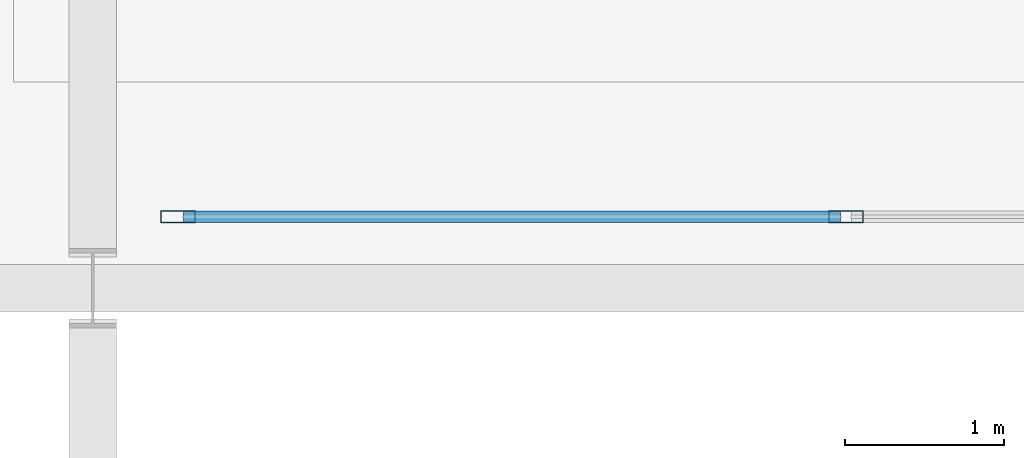
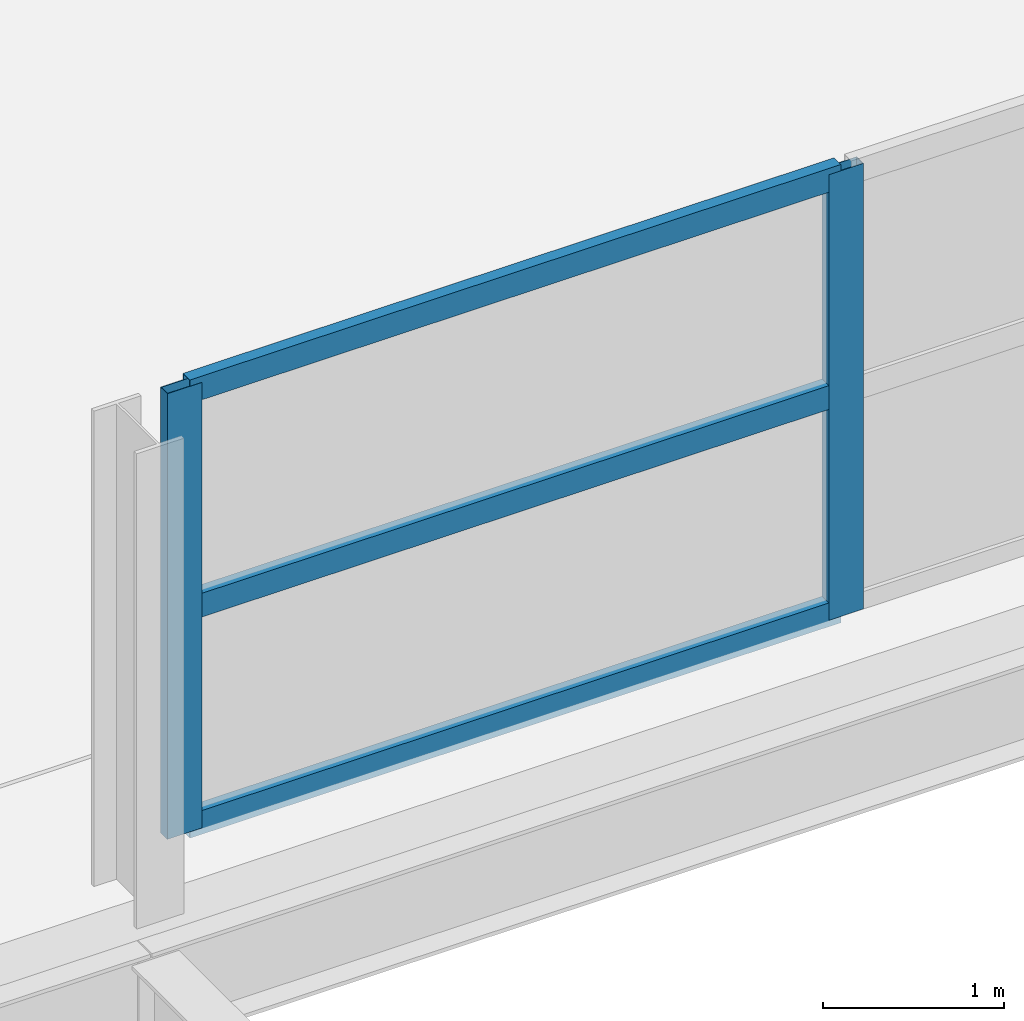
# One storey, part 66 of 134: 5 members, 1 element without a shape of its own.
"""IFC4 building model written with IfcOpenShell, lengths in metres."""

from ifc_helpers import new_model, si_unit, direction, frame, origin, origin_2d, place, context, subcontext, project, spatial, hollow_rectangle, extrude, material, layer, layer_set, material_profile, profile_set, type_object, element, aggregate, save


model = new_model("IFC4")

# Units and contexts
model_context = context("Model", 3, precision=1e-05, world=origin(), true_north=direction((0.0, 1.0)))
body_context = subcontext(model_context, "Body", "Model", "MODEL_VIEW")
ifc_project = project(units=[si_unit("LENGTHUNIT", "METRE"), si_unit("AREAUNIT", "SQUARE_METRE"), si_unit("VOLUMEUNIT", "CUBIC_METRE"), si_unit("PLANEANGLEUNIT", "RADIAN"), si_unit("MASSUNIT", "GRAM", prefix="KILO")], contexts=[model_context])

# Site, building, storey
site_placement = place(None, origin())
site = spatial("IfcSite", under=ifc_project, at=site_placement, CompositionType="ELEMENT")
building_placement = place(site_placement, origin())
building = spatial("IfcBuilding", under=site, at=building_placement, Name="Tamarisk Ironworks Central Station", CompositionType="ELEMENT")
storey_placement = place(building_placement, frame((0.0, 0.0, 12.60009765625)))
storey = spatial("IfcBuildingStorey", under=building, at=storey_placement, Name="L02", CompositionType="ELEMENT", Elevation=12.60009765625)

# Curtain wall, members
ifc_material = material(Name="Anodized aluminium alloy 6063-T6", Category="aluminium")
ifc_layer = layer(ifc_material, 0.179931640625)
ifc_layer_set = layer_set([ifc_layer], Name="Anodized aluminium alloy 6063-T6")
curtain_wall_type = type_object("IfcCurtainWallType", Name="CW-24", PredefinedType="USERDEFINED", material=ifc_layer_set)
curtain_wall_placement = place(storey_placement, origin())
curtain_wall = element("IfcCurtainWall", 1, at=curtain_wall_placement, inside=storey, type_object=curtain_wall_type, Name="Mezzanine south-east acoustic screen", ObjectType="GLAZED CURTAIN WALL", PredefinedType="USERDEFINED")
ifc_material_profile_1 = material_profile(ifc_material, hollow_rectangle(XDim=0.074951171875, YDim=0.219970703125, WallThickness=0.00390625, at=origin_2d()), Name="ALUM 220x75")
ifc_profile_set_1 = profile_set([ifc_material_profile_1], Name="Anodized aluminium alloy 6063-T6")
member_type_1 = type_object("IfcMemberType", Name="CWM-01", PredefinedType="MULLION", material=ifc_profile_set_1)
member_1_placement = place(storey_placement, frame((90.53759765625, 79.64990234375, 0.0), z_axis=(0.0, 0.0, 1.0), x_axis=(0.0, 1.0, 0.0)))
member_1 = element("IfcMember", 2, at=member_1_placement, type_object=member_type_1, Name="CW24 mullion 1", PredefinedType="MULLION", context=body_context, shape_type="SweptSolid", body=[
    extrude(hollow_rectangle(XDim=0.074951171875, YDim=0.219970703125, WallThickness=0.00390625, at=origin_2d()), origin(), (0.0, 0.0, 1.0), 3.0),
])
member_2_placement = place(storey_placement, frame((94.75, 79.64990234375, 0.0), z_axis=(0.0, 0.0, 1.0), x_axis=(0.0, 1.0, 0.0)))
member_2 = element("IfcMember", 3, at=member_2_placement, type_object=member_type_1, Name="CW24 mullion 2", PredefinedType="MULLION", context=body_context, shape_type="SweptSolid", body=[
    extrude(hollow_rectangle(XDim=0.074951171875, YDim=0.219970703125, WallThickness=0.00390625, at=origin_2d()), origin(), (0.0, 0.0, 1.0), 3.0),
])
ifc_material_profile_2 = material_profile(ifc_material, hollow_rectangle(XDim=0.074951171875, YDim=0.159912109375, WallThickness=0.00390625, at=origin_2d()), Name="ALUM 160x75")
ifc_profile_set_2 = profile_set([ifc_material_profile_2], Name="Anodized aluminium alloy 6063-T6")
member_type_2 = type_object("IfcMemberType", Name="CWT-01", PredefinedType="USERDEFINED", material=ifc_profile_set_2)
member_3_placement = place(storey_placement, frame((90.571044921875, 79.64990234375, 0.037353515625), z_axis=(1.0, 0.0, 0.0), x_axis=(0.0, 1.0, 0.0)))
member_3 = element("IfcMember", 4, at=member_3_placement, type_object=member_type_2, Name="CW24 transom 1.1", ObjectType="TRANSOM", PredefinedType="USERDEFINED", context=body_context, shape_type="SweptSolid", body=[
    extrude(hollow_rectangle(XDim=0.074951171875, YDim=0.159912109375, WallThickness=0.00390625, at=origin_2d()), origin(), (0.0, 0.0, 1.0), 4.1455078125),
])
member_4_placement = place(storey_placement, frame((90.571044921875, 79.64990234375, 1.5), z_axis=(1.0, 0.0, 0.0), x_axis=(0.0, 1.0, 0.0)))
member_4 = element("IfcMember", 5, at=member_4_placement, type_object=member_type_2, Name="CW24 transom 1.2", ObjectType="TRANSOM", PredefinedType="USERDEFINED", context=body_context, shape_type="SweptSolid", body=[
    extrude(hollow_rectangle(XDim=0.074951171875, YDim=0.159912109375, WallThickness=0.00390625, at=origin_2d()), origin(), (0.0, 0.0, 1.0), 4.1455078125),
])
member_5_placement = place(storey_placement, frame((90.571044921875, 79.64990234375, 2.96240234375), z_axis=(1.0, 0.0, 0.0), x_axis=(0.0, 1.0, 0.0)))
member_5 = element("IfcMember", 6, at=member_5_placement, type_object=member_type_2, Name="CW24 transom 1.3", ObjectType="TRANSOM", PredefinedType="USERDEFINED", context=body_context, shape_type="SweptSolid", body=[
    extrude(hollow_rectangle(XDim=0.074951171875, YDim=0.159912109375, WallThickness=0.00390625, at=origin_2d()), origin(), (0.0, 0.0, 1.0), 4.1455078125),
])
aggregate(curtain_wall, [member_1, member_2, member_3, member_4, member_5])

save(model, "model.ifc")
